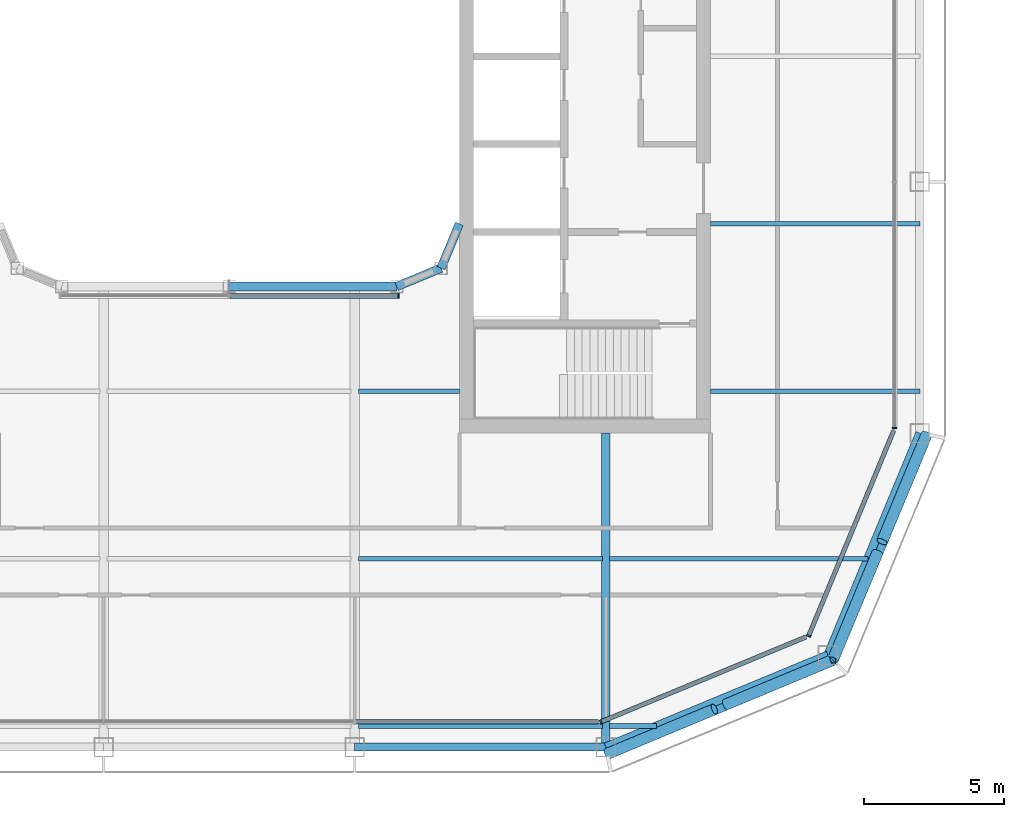
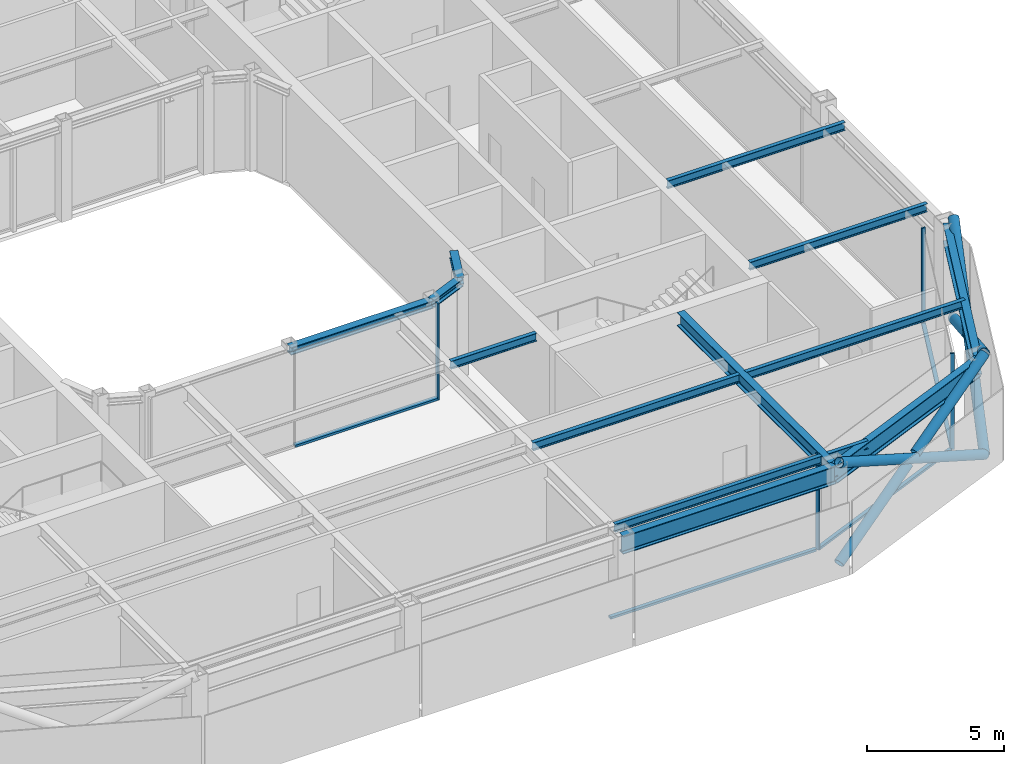
# One storey, part 5 of 21: 14 beams, 14 members, 5 elements without a shape of their own.
"""IFC4 building model written with IfcOpenShell, lengths in metres."""

from ifc_helpers import new_model, si_unit, direction, frame, origin, origin_2d, place, context, subcontext, project, spatial, rectangle, hollow_circle, i_section, extrude, material, layer, layer_set, material_profile, profile_set, type_object, element, aggregate, save


model = new_model("IFC4")

# Units and contexts
model_context = context("Model", 3, precision=1e-05, world=origin(), true_north=direction((0.0, 1.0)))
body_context = subcontext(model_context, "Body", "Model", "MODEL_VIEW")
ifc_project = project(units=[si_unit("LENGTHUNIT", "METRE"), si_unit("AREAUNIT", "SQUARE_METRE"), si_unit("VOLUMEUNIT", "CUBIC_METRE"), si_unit("PLANEANGLEUNIT", "RADIAN"), si_unit("MASSUNIT", "GRAM", prefix="KILO")], contexts=[model_context])

# Site, building, storey
site_placement = place(None, origin())
site = spatial("IfcSite", under=ifc_project, at=site_placement, CompositionType="ELEMENT")
building_placement = place(site_placement, origin())
building = spatial("IfcBuilding", under=site, at=building_placement, Name="Siwar Civic Tower", CompositionType="ELEMENT")
storey_placement = place(building_placement, frame((0.0, 0.0, 343.699951171875)))
storey = spatial("IfcBuildingStorey", under=building, at=storey_placement, Name="L74", CompositionType="ELEMENT", Elevation=343.699951171875)

# Curtain wall, member
ifc_material_1 = material(Name="Aluminium clad insulated panel", Category="aluminium")
ifc_layer_1 = layer(ifc_material_1, 0.159912109375)
ifc_layer_set_1 = layer_set([ifc_layer_1], Name="Aluminium clad insulated panel")
curtain_wall_type_1 = type_object("IfcCurtainWallType", Name="ENV-CW-DX", PredefinedType="NOTDEFINED", material=ifc_layer_set_1)
curtain_wall_1_placement = place(storey_placement, origin())
curtain_wall_1 = element("IfcCurtainWall", 1, at=curtain_wall_1_placement, inside=storey, type_object=curtain_wall_type_1, Name="Curtain wall D SE1", PredefinedType="NOTDEFINED")
ifc_material_2 = material(Name="Aluminium 6063-T6", Category="aluminium")
ifc_material_profile_1 = material_profile(ifc_material_2, rectangle(XDim=0.159912109375, YDim=0.06005859375, at=origin_2d()), Name="AL 160x60")
ifc_profile_set_1 = profile_set([ifc_material_profile_1], Name="Aluminium 6063-T6")
member_type_1 = type_object("IfcMemberType", Name="ENV-MULLION-D", PredefinedType="MULLION", material=ifc_profile_set_1)
member_1_placement = place(storey_placement, frame((13.321044921875, -23.85009765625, 0.0), z_axis=(0.0, 0.0, 1.0), x_axis=(-0.382683432365, 0.923879532511, 0.0)))
member_1 = element("IfcMember", 2, at=member_1_placement, type_object=member_type_1, Name="Mullion D SE1 1", PredefinedType="MULLION", context=body_context, shape_type="SweptSolid", body=[
    extrude(rectangle(XDim=0.159912109375, YDim=0.06005859375, at=origin_2d()), origin(), (0.0, 0.0, 1.0), 4.300048828125),
])

curtain_wall_2_placement = place(storey_placement, origin())
curtain_wall_2 = element("IfcCurtainWall", 3, at=curtain_wall_2_placement, inside=storey, type_object=curtain_wall_type_1, Name="Curtain wall D SE2", PredefinedType="NOTDEFINED")
member_2_placement = place(storey_placement, frame((20.76611328125, -20.76611328125, 0.0), z_axis=(0.0, 0.0, 1.0), x_axis=(-0.923879532511, 0.382683432365, 0.0)))
member_2 = element("IfcMember", 4, at=member_2_placement, type_object=member_type_1, Name="Mullion D SE2 1", PredefinedType="MULLION", context=body_context, shape_type="SweptSolid", body=[
    extrude(rectangle(XDim=0.159912109375, YDim=0.06005859375, at=origin_2d()), origin(), (0.0, 0.0, 1.0), 4.300048828125),
])

ifc_material_3 = material(Name="Aluminium and glass", Category="aluminium")
ifc_layer_2 = layer(ifc_material_3, 0.159912109375)
ifc_layer_set_2 = layer_set([ifc_layer_2], Name="Aluminium and glass")
curtain_wall_type_2 = type_object("IfcCurtainWallType", Name="ENV-CW-D", PredefinedType="NOTDEFINED", material=ifc_layer_set_2)
curtain_wall_3_placement = place(storey_placement, origin())
curtain_wall_3 = element("IfcCurtainWall", 5, at=curtain_wall_3_placement, inside=storey, type_object=curtain_wall_type_2, Name="Curtain wall D E", PredefinedType="NOTDEFINED")
member_3_placement = place(storey_placement, frame((23.85009765625, -13.321044921875, 0.0), z_axis=(0.0, 0.0, 1.0), x_axis=(-1.0, 0.0, 0.0)))
member_3 = element("IfcMember", 6, at=member_3_placement, type_object=member_type_1, Name="Mullion D E 1", PredefinedType="MULLION", context=body_context, shape_type="SweptSolid", body=[
    extrude(rectangle(XDim=0.159912109375, YDim=0.06005859375, at=origin_2d()), origin(), (0.0, 0.0, 1.0), 4.300048828125),
])
aggregate(curtain_wall_3, [member_3])

ifc_material_4 = material(Name="Aluminium and glass", Category="aluminium")
ifc_layer_3 = layer(ifc_material_4, 0.179931640625)
ifc_layer_set_3 = layer_set([ifc_layer_3], Name="Aluminium and glass")
curtain_wall_type_3 = type_object("IfcCurtainWallType", Name="ENV-CW-W", PredefinedType="NOTDEFINED", material=ifc_layer_set_3)
curtain_wall_4_placement = place(storey_placement, origin())
curtain_wall_4 = element("IfcCurtainWall", 7, at=curtain_wall_4_placement, inside=storey, type_object=curtain_wall_type_3, Name="Curtain wall W WS", PredefinedType="NOTDEFINED")
ifc_material_5 = material(Name="Aluminium 6063-T6", Category="aluminium")
ifc_material_profile_2 = material_profile(ifc_material_5, rectangle(XDim=0.179931640625, YDim=0.06005859375, at=origin_2d()), Name="AL 180x60")
ifc_profile_set_2 = profile_set([ifc_material_profile_2], Name="Aluminium 6063-T6")
member_type_2 = type_object("IfcMemberType", Name="ENV-MULLION-W", PredefinedType="MULLION", material=ifc_profile_set_2)
member_4_placement = place(storey_placement, frame((6.066650390625, -8.5849609375, 0.0), z_axis=(0.0, 0.0, 1.0), x_axis=(0.0, 1.0, 0.0)))
member_4 = element("IfcMember", 8, at=member_4_placement, type_object=member_type_2, Name="Mullion W WS 3", PredefinedType="MULLION", context=body_context, shape_type="SweptSolid", body=[
    extrude(rectangle(XDim=0.179931640625, YDim=0.06005859375, at=origin_2d()), origin(), (0.0, 0.0, 1.0), 4.300048828125),
])

curtain_wall_5_placement = place(storey_placement, origin())
curtain_wall_5 = element("IfcCurtainWall", 9, at=curtain_wall_5_placement, inside=storey, type_object=curtain_wall_type_2, Name="Curtain wall D S", PredefinedType="NOTDEFINED")
ifc_material_6 = material(Name="Aluminium 6063-T6", Category="aluminium")
ifc_material_profile_3 = material_profile(ifc_material_6, rectangle(XDim=0.159912109375, YDim=0.10009765625, at=origin_2d()), Name="AL 160x100")
ifc_profile_set_3 = profile_set([ifc_material_profile_3], Name="Aluminium 6063-T6")
member_type_3 = type_object("IfcMemberType", Name="ENV-TRANSOM-D", PredefinedType="USERDEFINED", material=ifc_profile_set_3)
member_5_placement = place(storey_placement, frame((4.530029296875, -23.85009765625, 0.050048828125), z_axis=(1.0, 0.0, 0.0), x_axis=(0.0, 1.0, 0.0)))
member_5 = element("IfcMember", 10, at=member_5_placement, type_object=member_type_3, Name="Transom D S 3", ObjectType="TRANSOM", PredefinedType="USERDEFINED", context=body_context, shape_type="SweptSolid", body=[
    extrude(rectangle(XDim=0.159912109375, YDim=0.10009765625, at=origin_2d()), origin(), (0.0, 0.0, 1.0), 8.693115234375),
])
aggregate(curtain_wall_5, [member_5])

# Member
member_6_placement = place(storey_placement, frame((13.3486328125, -23.838623046875, 0.050048828125), z_axis=(0.923872756612, 0.382699790424, 0.0), x_axis=(-0.382699790424, 0.923872756612, 0.0)))
member_6 = element("IfcMember", 11, at=member_6_placement, type_object=member_type_3, Name="Transom D SE1 1", ObjectType="TRANSOM", PredefinedType="USERDEFINED", context=body_context, shape_type="SweptSolid", body=[
    extrude(rectangle(XDim=0.159912109375, YDim=0.10009765625, at=origin_2d()), origin(), (0.0, 0.0, 1.0), 7.930908203125),
])

aggregate(curtain_wall_1, [member_1, member_6])

member_7_placement = place(storey_placement, frame((20.777587890625, -20.738525390625, 0.050048828125), z_axis=(0.382673515031, 0.923883640343, 0.0), x_axis=(-0.923883640343, 0.382673515031, 0.0)))
member_7 = element("IfcMember", 12, at=member_7_placement, type_object=member_type_3, Name="Transom D SE2 1", ObjectType="TRANSOM", PredefinedType="USERDEFINED", context=body_context, shape_type="SweptSolid", body=[
    extrude(rectangle(XDim=0.159912109375, YDim=0.10009765625, at=origin_2d()), origin(), (0.0, 0.0, 1.0), 7.930908203125),
])

aggregate(curtain_wall_2, [member_2, member_7])

ifc_material_7 = material(Name="Aluminium 6063-T6", Category="aluminium")
ifc_material_profile_4 = material_profile(ifc_material_7, rectangle(XDim=0.179931640625, YDim=0.10009765625, at=origin_2d()), Name="AL 180x100")
ifc_profile_set_4 = profile_set([ifc_material_profile_4], Name="Aluminium 6063-T6")
member_type_4 = type_object("IfcMemberType", Name="ENV-TRANSOM-W", PredefinedType="USERDEFINED", material=ifc_profile_set_4)
member_8_placement = place(storey_placement, frame((0.030029296875, -8.5849609375, 0.050048828125), z_axis=(1.0, 0.0, 0.0), x_axis=(0.0, 1.0, 0.0)))
member_8 = element("IfcMember", 13, at=member_8_placement, type_object=member_type_4, Name="Transom W WS 2", ObjectType="TRANSOM", PredefinedType="USERDEFINED", context=body_context, shape_type="SweptSolid", body=[
    extrude(rectangle(XDim=0.179931640625, YDim=0.10009765625, at=origin_2d()), origin(), (0.0, 0.0, 1.0), 6.006591796875),
])

aggregate(curtain_wall_4, [member_4, member_8])

# Members
ifc_material_8 = material(Name="Steel S355", Category="steel")
ifc_material_profile_5 = material_profile(ifc_material_8, hollow_circle(Radius=0.203125, WallThickness=0.01611328125, at=origin_2d()), Name="CHS406.4x16")
ifc_profile_set_5 = profile_set([ifc_material_profile_5], Name="Steel S355")
member_type_5 = type_object("IfcMemberType", Name="STR-BR-CHS406.4x16", PredefinedType="BRACE", material=ifc_profile_set_5)
member_9_placement = place(storey_placement, frame((21.6318359375, -21.6318359375, 0.0), z_axis=(0.341671493852, 0.821142553604, 0.457149315816), x_axis=(-0.923264922524, 0.384163874976, 0.0)))
element("IfcMember", 14, at=member_9_placement, inside=storey, type_object=member_type_5, Name="L74/brc/DSE1-13-0-1", PredefinedType="BRACE", context=body_context, shape_type="SweptSolid", body=[
    extrude(hollow_circle(Radius=0.203125, WallThickness=0.01611328125, at=origin_2d()), origin(), (0.0, 0.0, 1.0), 9.843505859375),
])
for number, where, z_axis, x_axis, name in (
    (15, (24.9951171875, -13.548828125, 0.0), (-0.341659024948, -0.821130093572, 0.45718101459), (0.923267827529, -0.384156893273, 0.0), "L74/brc/DSE1-13-0-2"),
    (16, (23.229736328125, -17.791259765625, 2.362060546875), (-0.341652533125, -0.821166691915, 0.457120127208), (0.923276488787, -0.38413607648, 0.0), "L74/brc/DSE1-13-0-3"),
):
    element("IfcMember", number, at=place(storey_placement, frame(where, z_axis=z_axis, x_axis=x_axis)), inside=storey, type_object=member_type_5, Name=name, PredefinedType="BRACE", context=body_context, shape_type="SweptSolid", body=[
        extrude(hollow_circle(Radius=0.203125, WallThickness=0.01611328125, at=origin_2d()), origin(), (0.0, 0.0, 1.0), 4.677001953125),
    ])
member_10_placement = place(storey_placement, frame((21.6318359375, -21.6318359375, 0.0), z_axis=(-0.821142553604, -0.341671493852, 0.457149315816), x_axis=(0.384163874976, -0.923264922524, 0.0)))
element("IfcMember", 17, at=member_10_placement, inside=storey, type_object=member_type_5, Name="L74/brc/DSE1-13-0-0", PredefinedType="BRACE", context=body_context, shape_type="SweptSolid", body=[
    extrude(hollow_circle(Radius=0.203125, WallThickness=0.01611328125, at=origin_2d()), origin(), (0.0, 0.0, 1.0), 9.843505859375),
])
for number, where, z_axis, x_axis, name in (
    (18, (13.548828125, -24.9951171875, 0.0), (0.821130093572, 0.341659024948, 0.45718101459), (-0.384156893273, 0.923267827529, 0.0), "L74/brc/DSE1-13-0-4"),
    (19, (17.791259765625, -23.229736328125, 2.362060546875), (0.821166691915, 0.341652533125, 0.457120127208), (-0.38413607648, 0.923276488787, 0.0), "L74/brc/DSE1-13-0-5"),
):
    element("IfcMember", number, at=place(storey_placement, frame(where, z_axis=z_axis, x_axis=x_axis)), inside=storey, type_object=member_type_5, Name=name, PredefinedType="BRACE", context=body_context, shape_type="SweptSolid", body=[
        extrude(hollow_circle(Radius=0.203125, WallThickness=0.01611328125, at=origin_2d()), origin(), (0.0, 0.0, 1.0), 4.677001953125),
    ])

# Beams
ifc_material_9 = material(Name="Steel S355", Category="steel")
ifc_material_profile_6 = material_profile(ifc_material_9, i_section(OverallWidth=0.169921875, OverallDepth=0.360107421875, WebThickness=0.008056640625, FlangeThickness=0.0126953125, FilletRadius=0.01806640625, at=origin_2d()), Name="IPE360")
ifc_profile_set_6 = profile_set([ifc_material_profile_6], Name="Steel S355")
beam_type_1 = type_object("IfcBeamType", Name="STR-FB-IPE360", PredefinedType="JOIST", material=ifc_profile_set_6)
beam_1_placement = place(storey_placement, frame((4.6298828125, -24.0, 4.1201171875), z_axis=(1.0, 0.0, 0.0), x_axis=(0.0, 1.0, 0.0)))
element("IfcBeam", 20, at=beam_1_placement, inside=storey, type_object=beam_type_1, Name="L74/bm/F004", PredefinedType="JOIST", context=body_context, shape_type="SweptSolid", body=[
    extrude(i_section(OverallWidth=0.169921875, OverallDepth=0.360107421875, WebThickness=0.008056640625, FlangeThickness=0.0126953125, FilletRadius=0.01806640625, at=origin_2d()), origin(), (0.0, 0.0, 1.0), 8.740234375),
])
beam_2_placement = place(storey_placement, frame((13.6298828125, -24.0, 4.1201171875), z_axis=(1.0, 0.0, 0.0), x_axis=(0.0, 1.0, 0.0)))
element("IfcBeam", 21, at=beam_2_placement, inside=storey, type_object=beam_type_1, Name="L74/bm/F005", PredefinedType="JOIST", context=body_context, shape_type="SweptSolid", body=[
    extrude(i_section(OverallWidth=0.169921875, OverallDepth=0.360107421875, WebThickness=0.008056640625, FlangeThickness=0.0126953125, FilletRadius=0.01806640625, at=origin_2d()), origin(), (0.0, 0.0, 1.0), 1.6806640625),
])
beam_3_placement = place(storey_placement, frame((4.6298828125, -18.0, 4.1201171875), z_axis=(1.0, 0.0, 0.0), x_axis=(0.0, 1.0, 0.0)))
element("IfcBeam", 22, at=beam_3_placement, inside=storey, type_object=beam_type_1, Name="L74/bm/F009", PredefinedType="JOIST", context=body_context, shape_type="SweptSolid", body=[
    extrude(i_section(OverallWidth=0.169921875, OverallDepth=0.360107421875, WebThickness=0.008056640625, FlangeThickness=0.0126953125, FilletRadius=0.01806640625, at=origin_2d()), origin(), (0.0, 0.0, 1.0), 8.740234375),
])
beam_4_placement = place(storey_placement, frame((13.6298828125, -18.0, 4.1201171875), z_axis=(1.0, 0.0, 0.0), x_axis=(0.0, 1.0, 0.0)))
element("IfcBeam", 23, at=beam_4_placement, inside=storey, type_object=beam_type_1, Name="L74/bm/F010", PredefinedType="JOIST", context=body_context, shape_type="SweptSolid", body=[
    extrude(i_section(OverallWidth=0.169921875, OverallDepth=0.360107421875, WebThickness=0.008056640625, FlangeThickness=0.0126953125, FilletRadius=0.01806640625, at=origin_2d()), origin(), (0.0, 0.0, 1.0), 9.256103515625),
])
beam_5_placement = place(storey_placement, frame((4.6298828125, -12.0, 4.1201171875), z_axis=(1.0, 0.0, 0.0), x_axis=(0.0, 1.0, 0.0)))
element("IfcBeam", 24, at=beam_5_placement, inside=storey, type_object=beam_type_1, Name="L74/bm/F014", PredefinedType="JOIST", context=body_context, shape_type="SweptSolid", body=[
    extrude(i_section(OverallWidth=0.169921875, OverallDepth=0.360107421875, WebThickness=0.008056640625, FlangeThickness=0.0126953125, FilletRadius=0.01806640625, at=origin_2d()), origin(), (0.0, 0.0, 1.0), 3.6201171875),
])
for number, where, z_axis, x_axis, name in (
    (25, (17.25, -12.0, 4.1201171875), (1.0, 0.0, 0.0), (0.0, 1.0, 0.0), "L74/bm/F015"),
    (26, (17.25, -6.0, 4.1201171875), (1.0, 0.0, 0.0), (0.0, 1.0, 0.0), "L74/bm/F017"),
):
    element("IfcBeam", number, at=place(storey_placement, frame(where, z_axis=z_axis, x_axis=x_axis)), inside=storey, type_object=beam_type_1, Name=name, PredefinedType="JOIST", context=body_context, shape_type="SweptSolid", body=[
        extrude(i_section(OverallWidth=0.169921875, OverallDepth=0.360107421875, WebThickness=0.008056640625, FlangeThickness=0.0126953125, FilletRadius=0.01806640625, at=origin_2d()), origin(), (0.0, 0.0, 1.0), 7.5),
    ])
ifc_material_10 = material(Name="Steel S355", Category="steel")
ifc_material_profile_7 = material_profile(ifc_material_10, i_section(OverallWidth=0.300048828125, OverallDepth=0.60009765625, WebThickness=0.015380859375, FlangeThickness=0.030029296875, FilletRadius=0.027099609375, at=origin_2d()), Name="HEB600")
ifc_profile_set_7 = profile_set([ifc_material_profile_7], Name="Steel S355")
beam_type_2 = type_object("IfcBeamType", Name="STR-PG-HEB600", PredefinedType="BEAM", material=ifc_profile_set_7)
beam_6_placement = place(storey_placement, frame((13.5, -24.75, 4.0), z_axis=(0.0, 1.0, 0.0), x_axis=(-1.0, 0.0, 0.0)))
element("IfcBeam", 27, at=beam_6_placement, inside=storey, type_object=beam_type_2, Name="L74/bm/G07", PredefinedType="BEAM", context=body_context, shape_type="SweptSolid", body=[
    extrude(i_section(OverallWidth=0.300048828125, OverallDepth=0.60009765625, WebThickness=0.015380859375, FlangeThickness=0.030029296875, FilletRadius=0.027099609375, at=origin_2d()), origin(), (0.0, 0.0, 1.0), 11.25),
])
ifc_material_11 = material(Name="Steel S355", Category="steel")
ifc_material_profile_8 = material_profile(ifc_material_11, i_section(OverallWidth=0.31005859375, OverallDepth=0.340087890625, WebThickness=0.02099609375, FlangeThickness=0.0390625, FilletRadius=0.027099609375, at=origin_2d()), Name="HEM300")
ifc_profile_set_8 = profile_set([ifc_material_profile_8], Name="Steel S355")
beam_type_3 = type_object("IfcBeamType", Name="STR-RB-HEM300", PredefinedType="BEAM", material=ifc_profile_set_8)
beam_7_placement = place(storey_placement, frame((0.0, -8.25, 4.130126953125), z_axis=(1.0, 0.0, 0.0), x_axis=(0.0, 1.0, 0.0)))
element("IfcBeam", 28, at=beam_7_placement, inside=storey, type_object=beam_type_3, Name="L74/bm/RS2", PredefinedType="BEAM", context=body_context, shape_type="SweptSolid", body=[
    extrude(i_section(OverallWidth=0.31005859375, OverallDepth=0.340087890625, WebThickness=0.02099609375, FlangeThickness=0.0390625, FilletRadius=0.027099609375, at=origin_2d()), origin(), (0.0, 0.0, 1.0), 6.0),
])
for number, where, z_axis, x_axis, name in (
    (29, (6.0, -8.25, 4.130126953125), (0.923901072997, 0.382631424892, 0.0), (-0.382631424892, 0.923901072997, 0.0), "L74/bm/RS3"),
    (30, (7.591064453125, -7.591064453125, 4.130126953125), (0.382631424892, 0.923901072997, 0.0), (-0.923901072997, 0.382631424892, 0.0), "L74/bm/RSEE"),
):
    element("IfcBeam", number, at=place(storey_placement, frame(where, z_axis=z_axis, x_axis=x_axis)), inside=storey, type_object=beam_type_3, Name=name, PredefinedType="BEAM", context=body_context, shape_type="SweptSolid", body=[
        extrude(i_section(OverallWidth=0.31005859375, OverallDepth=0.340087890625, WebThickness=0.02099609375, FlangeThickness=0.0390625, FilletRadius=0.027099609375, at=origin_2d()), origin(), (0.0, 0.0, 1.0), 1.72216796875),
    ])
ifc_material_12 = material(Name="Steel S355", Category="steel")
ifc_material_profile_9 = material_profile(ifc_material_12, i_section(OverallWidth=0.300048828125, OverallDepth=0.800048828125, WebThickness=0.017578125, FlangeThickness=0.032958984375, FilletRadius=0.030029296875, at=origin_2d()), Name="HEB800")
ifc_profile_set_9 = profile_set([ifc_material_profile_9], Name="Steel S355")
beam_type_4 = type_object("IfcBeamType", Name="STR-SB-HEB800", PredefinedType="BEAM", material=ifc_profile_set_9)
beam_8_placement = place(storey_placement, frame((4.5, -24.75, 3.900146484375), z_axis=(1.0, 0.0, 0.0), x_axis=(0.0, 1.0, 0.0)))
element("IfcBeam", 31, at=beam_8_placement, inside=storey, type_object=beam_type_4, Name="L74/bm/SS-2", PredefinedType="BEAM", context=body_context, shape_type="SweptSolid", body=[
    extrude(i_section(OverallWidth=0.300048828125, OverallDepth=0.800048828125, WebThickness=0.017578125, FlangeThickness=0.032958984375, FilletRadius=0.030029296875, at=origin_2d()), origin(), (0.0, 0.0, 1.0), 9.0),
])
for number, where, z_axis, x_axis, name in (
    (32, (13.5, -24.75, 3.900146484375), (0.923872720536, 0.382699877515, 0.0), (-0.382699877515, 0.923872720536, 0.0), "L74/bm/SSE1-0"),
    (33, (21.454833984375, -21.454833984375, 3.900146484375), (0.382699877515, 0.923872720536, 0.0), (-0.923872720536, 0.382699877515, 0.0), "L74/bm/SSE2-0"),
):
    element("IfcBeam", number, at=place(storey_placement, frame(where, z_axis=z_axis, x_axis=x_axis)), inside=storey, type_object=beam_type_4, Name=name, PredefinedType="BEAM", context=body_context, shape_type="SweptSolid", body=[
        extrude(i_section(OverallWidth=0.300048828125, OverallDepth=0.800048828125, WebThickness=0.017578125, FlangeThickness=0.032958984375, FilletRadius=0.030029296875, at=origin_2d()), origin(), (0.0, 0.0, 1.0), 8.6103515625),
    ])

save(model, "model.ifc")
